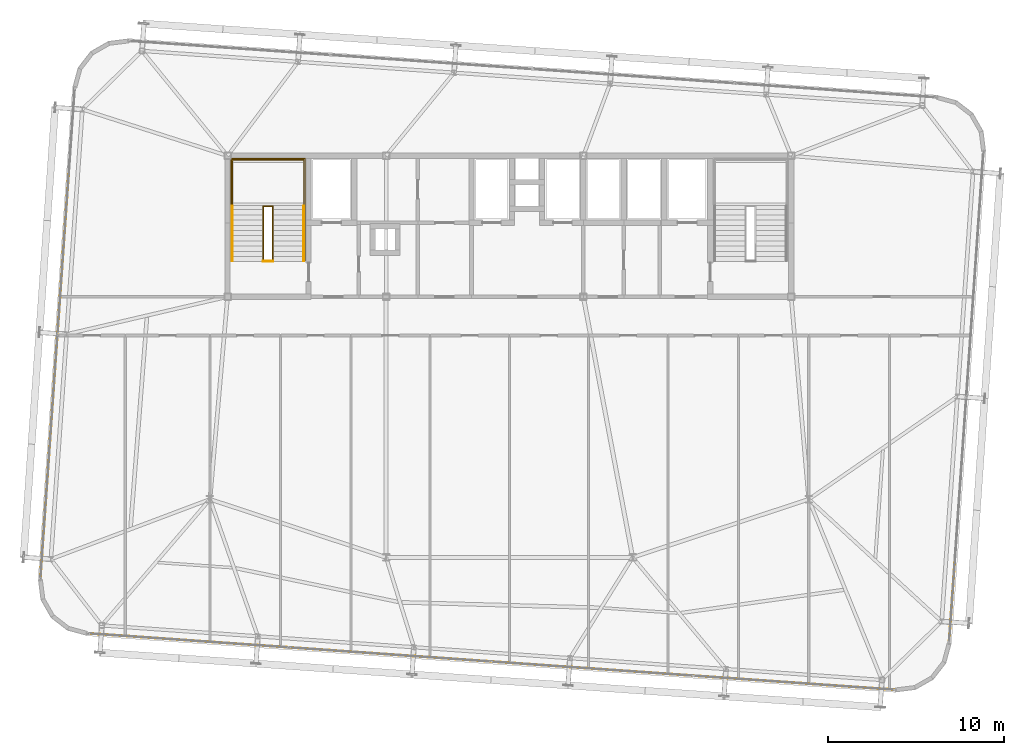
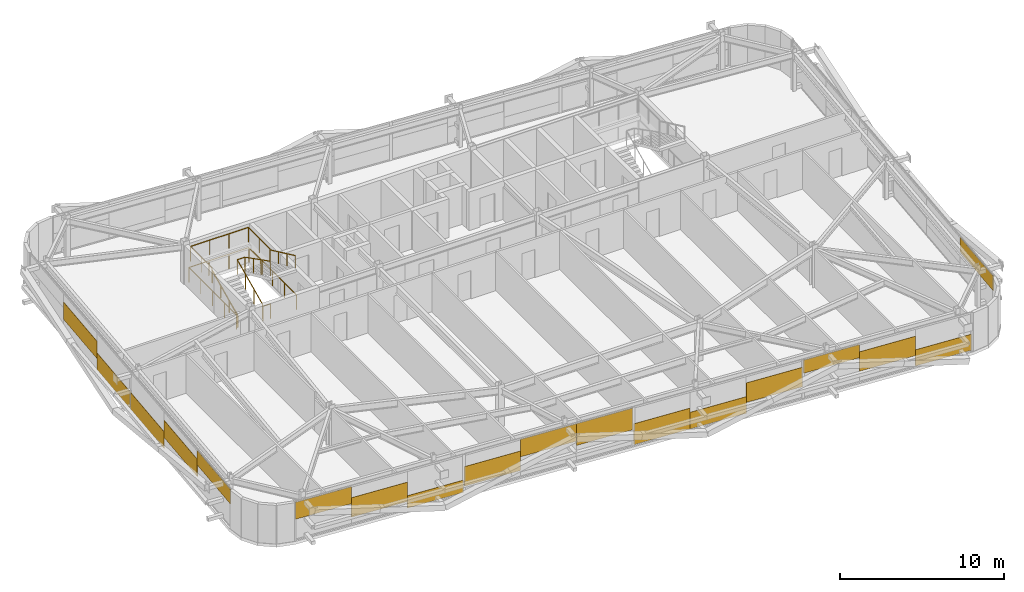
# One storey, part 38 of 39: 18 coverings, 6 railings.
"""IFC4 building model written with IfcOpenShell, lengths in metres."""

from ifc_helpers import new_model, si_unit, direction, frame, origin, origin_2d, place, context, subcontext, project, spatial, rectangle, extrude, source, transform, mapped, material, layer, layer_set, type_object, element, save


model = new_model("IFC4")

# Units and contexts
model_context = context("Model", 3, precision=1e-05, world=origin(), true_north=direction((0.0, 1.0)))
body_context = subcontext(model_context, "Body", "Model", "MODEL_VIEW")
ifc_project = project(units=[si_unit("LENGTHUNIT", "METRE"), si_unit("AREAUNIT", "SQUARE_METRE"), si_unit("VOLUMEUNIT", "CUBIC_METRE"), si_unit("PLANEANGLEUNIT", "RADIAN"), si_unit("MASSUNIT", "GRAM", prefix="KILO")], contexts=[model_context])

# Site, building, storey
site_placement = place(None, origin())
site = spatial("IfcSite", under=ifc_project, at=site_placement, CompositionType="ELEMENT")
building_placement = place(site_placement, origin())
building = spatial("IfcBuilding", under=site, at=building_placement, Name="Taldren Reach Tower", CompositionType="ELEMENT")
storey_placement = place(building_placement, frame((0.0, 0.0, 161.35009765625)))
storey = spatial("IfcBuildingStorey", under=building, at=storey_placement, Name="L49", CompositionType="ELEMENT", Elevation=161.35009765625)

# Railings
ifc_material_1 = material(Name="Steel Gr 350 (C350L0)", Category="steel")
ifc_layer_1 = layer(ifc_material_1, 0.050048828125)
ifc_layer_set_1 = layer_set([ifc_layer_1], Name="Steel Gr 350 (C350L0)")
railing_type_1 = type_object("IfcRailingType", Name="RL-STAIR-GR", PredefinedType="GUARDRAIL", material=ifc_layer_set_1)
railing_1_placement = place(storey_placement, frame((19.260009765625, 29.135009765625, 1.574951171875)))
element("IfcRailing", 1, at=railing_1_placement, inside=storey, type_object=railing_type_1, Name="Stair half-landing perimeter guard ST1-L49", PredefinedType="GUARDRAIL", context=body_context, shape_type="SweptSolid", body=[
    extrude(rectangle(XDim=0.047852, YDim=0.047852, at=origin_2d()), frame((0.0, 0.0, 1.09619140625), z_axis=(0.0, 1.0, 0.0), x_axis=(-1.0, 0.0, 0.0)), (0.0, 0.0, 1.0), 2.64501953125),
    extrude(rectangle(XDim=0.047852, YDim=0.047852, at=origin_2d()), frame((0.0, 2.64501953125, 1.09619140625), z_axis=(1.0, 0.0, 0.0), x_axis=(0.0, 1.0, 0.0)), (0.0, 0.0, 1.0), 4.080078125),
    extrude(rectangle(XDim=0.047852, YDim=0.047852, at=origin_2d()), frame((4.080078125, 2.64501953125, 1.09619140625), z_axis=(0.0, -1.0, 0.0), x_axis=(1.0, 0.0, 0.0)), (0.0, 0.0, 1.0), 2.64501953125),
    extrude(rectangle(XDim=0.041992, YDim=0.041992, at=origin_2d()), origin(), (0.0, 0.0, 1.0), 1.072021484375),
    extrude(rectangle(XDim=0.041992, YDim=0.041992, at=origin_2d()), frame((0.0, 1.322509765625, 0.0)), (0.0, 0.0, 1.0), 1.072021484375),
    extrude(rectangle(XDim=0.041992, YDim=0.041992, at=origin_2d()), frame((0.0, 2.64501953125, 0.0)), (0.0, 0.0, 1.0), 1.072021484375),
    extrude(rectangle(XDim=0.041992, YDim=0.041992, at=origin_2d()), frame((1.360107421875, 2.64501953125, 0.0)), (0.0, 0.0, 1.0), 1.072021484375),
    extrude(rectangle(XDim=0.041992, YDim=0.041992, at=origin_2d()), frame((2.719970703125, 2.64501953125, 0.0)), (0.0, 0.0, 1.0), 1.072021484375),
    extrude(rectangle(XDim=0.041992, YDim=0.041992, at=origin_2d()), frame((4.080078125, 2.64501953125, 0.0)), (0.0, 0.0, 1.0), 1.072021484375),
    extrude(rectangle(XDim=0.041992, YDim=0.041992, at=origin_2d()), frame((4.080078125, 1.322509765625, 0.0)), (0.0, 0.0, 1.0), 1.072021484375),
    extrude(rectangle(XDim=0.041992, YDim=0.041992, at=origin_2d()), frame((4.080078125, 0.0, 0.0)), (0.0, 0.0, 1.0), 1.072021484375),
])
railing_2_placement = place(storey_placement, frame((21.030029296875, 26.050048828125, 0.131103515625)))
element("IfcRailing", 2, at=railing_2_placement, inside=storey, type_object=railing_type_1, Name="Stairwell inner guard ST1-L49", PredefinedType="GUARDRAIL", context=body_context, shape_type="SweptSolid", body=[
    extrude(rectangle(XDim=0.047852, YDim=0.047852, at=origin_2d()), frame((0.0, 0.0, 1.09619140625), z_axis=(0.0, 0.905710134349, 0.423897573167), x_axis=(-1.0, 0.0, 0.0)), (0.0, 0.0, 1.0), 3.406005859375),
    extrude(rectangle(XDim=0.047852, YDim=0.047852, at=origin_2d()), frame((0.0, 3.0849609375, 2.5400390625), z_axis=(1.0, 0.0, 0.0), x_axis=(0.0, 1.0, 0.0)), (0.0, 0.0, 1.0), 0.5400390625),
    extrude(rectangle(XDim=0.047852, YDim=0.047852, at=origin_2d()), frame((0.5400390625, 3.0849609375, 2.5400390625), z_axis=(0.0, -0.890645957773, 0.45469745755), x_axis=(1.0, 0.0, 0.0)), (0.0, 0.0, 1.0), 3.463623046875),
    extrude(rectangle(XDim=0.041992, YDim=0.041992, at=origin_2d()), origin(), (0.0, 0.0, 1.0), 1.072021484375),
    extrude(rectangle(XDim=0.041992, YDim=0.041992, at=origin_2d()), frame((0.0, 1.0283203125, 0.481201171875)), (0.0, 0.0, 1.0), 1.072021484375),
    extrude(rectangle(XDim=0.041992, YDim=0.041992, at=origin_2d()), frame((0.0, 2.056640625, 0.962646484375)), (0.0, 0.0, 1.0), 1.072021484375),
    extrude(rectangle(XDim=0.041992, YDim=0.041992, at=origin_2d()), frame((0.0, 3.0849609375, 1.44384765625)), (0.0, 0.0, 1.0), 1.072021484375),
    extrude(rectangle(XDim=0.041992, YDim=0.041992, at=origin_2d()), frame((0.5400390625, 3.0849609375, 1.44384765625)), (0.0, 0.0, 1.0), 1.072021484375),
    extrude(rectangle(XDim=0.041992, YDim=0.041992, at=origin_2d()), frame((0.5400390625, 2.056640625, 1.96875)), (0.0, 0.0, 1.0), 1.072021484375),
    extrude(rectangle(XDim=0.041992, YDim=0.041992, at=origin_2d()), frame((0.5400390625, 1.0283203125, 2.493896484375)), (0.0, 0.0, 1.0), 1.072021484375),
    extrude(rectangle(XDim=0.041992, YDim=0.041992, at=origin_2d()), frame((0.5400390625, 0.0, 3.018798828125)), (0.0, 0.0, 1.0), 1.072021484375),
])
railing_3_placement = place(storey_placement, frame((21.030029296875, 26.010009765625, 0.0)))
element("IfcRailing", 3, at=railing_3_placement, inside=storey, type_object=railing_type_1, Name="Stairwell landing slot guard ST1-L49", PredefinedType="GUARDRAIL", context=body_context, shape_type="SweptSolid", body=[
    extrude(rectangle(XDim=0.047852, YDim=0.047852, at=origin_2d()), frame((0.0, 0.0, 1.09619140625), z_axis=(1.0, 0.0, 0.0), x_axis=(0.0, 1.0, 0.0)), (0.0, 0.0, 1.0), 0.5400390625),
    extrude(rectangle(XDim=0.041992, YDim=0.041992, at=origin_2d()), origin(), (0.0, 0.0, 1.0), 1.072021484375),
    extrude(rectangle(XDim=0.041992, YDim=0.041992, at=origin_2d()), frame((0.5400390625, 0.0, 0.0)), (0.0, 0.0, 1.0), 1.072021484375),
])
railing_4_placement = place(storey_placement, frame((19.18994140625, 26.050048828125, 0.0)))
element("IfcRailing", 4, at=railing_4_placement, inside=storey, type_object=railing_type_1, Name="Stairwell floor opening guard ST1-L49", PredefinedType="GUARDRAIL", context=body_context, shape_type="SweptSolid", body=[
    extrude(rectangle(XDim=0.047852, YDim=0.047852, at=origin_2d()), frame((0.0, 0.0, 1.09619140625), z_axis=(0.0, 1.0, 0.0), x_axis=(-1.0, 0.0, 0.0)), (0.0, 0.0, 1.0), 5.800048828125),
    extrude(rectangle(XDim=0.047852, YDim=0.047852, at=origin_2d()), frame((0.0, 5.800048828125, 1.09619140625), z_axis=(1.0, 0.0, 0.0), x_axis=(0.0, 1.0, 0.0)), (0.0, 0.0, 1.0), 4.219970703125),
    extrude(rectangle(XDim=0.047852, YDim=0.047852, at=origin_2d()), frame((4.219970703125, 5.800048828125, 1.09619140625), z_axis=(0.0, -1.0, 0.0), x_axis=(1.0, 0.0, 0.0)), (0.0, 0.0, 1.0), 5.800048828125),
    extrude(rectangle(XDim=0.041992, YDim=0.041992, at=origin_2d()), origin(), (0.0, 0.0, 1.0), 1.072021484375),
    extrude(rectangle(XDim=0.041992, YDim=0.041992, at=origin_2d()), frame((0.0, 1.449951171875, 0.0)), (0.0, 0.0, 1.0), 1.072021484375),
    extrude(rectangle(XDim=0.041992, YDim=0.041992, at=origin_2d()), frame((0.0, 2.89990234375, 0.0)), (0.0, 0.0, 1.0), 1.072021484375),
    extrude(rectangle(XDim=0.041992, YDim=0.041992, at=origin_2d()), frame((0.0, 4.35009765625, 0.0)), (0.0, 0.0, 1.0), 1.072021484375),
    extrude(rectangle(XDim=0.041992, YDim=0.041992, at=origin_2d()), frame((0.0, 5.800048828125, 0.0)), (0.0, 0.0, 1.0), 1.072021484375),
    extrude(rectangle(XDim=0.041992, YDim=0.041992, at=origin_2d()), frame((1.40673828125, 5.800048828125, 0.0)), (0.0, 0.0, 1.0), 1.072021484375),
    extrude(rectangle(XDim=0.041992, YDim=0.041992, at=origin_2d()), frame((2.813232421875, 5.800048828125, 0.0)), (0.0, 0.0, 1.0), 1.072021484375),
    extrude(rectangle(XDim=0.041992, YDim=0.041992, at=origin_2d()), frame((4.219970703125, 5.800048828125, 0.0)), (0.0, 0.0, 1.0), 1.072021484375),
    extrude(rectangle(XDim=0.041992, YDim=0.041992, at=origin_2d()), frame((4.219970703125, 4.35009765625, 0.0)), (0.0, 0.0, 1.0), 1.072021484375),
    extrude(rectangle(XDim=0.041992, YDim=0.041992, at=origin_2d()), frame((4.219970703125, 2.89990234375, 0.0)), (0.0, 0.0, 1.0), 1.072021484375),
    extrude(rectangle(XDim=0.041992, YDim=0.041992, at=origin_2d()), frame((4.219970703125, 1.449951171875, 0.0)), (0.0, 0.0, 1.0), 1.072021484375),
    extrude(rectangle(XDim=0.041992, YDim=0.041992, at=origin_2d()), frame((4.219970703125, 0.0, 0.0)), (0.0, 0.0, 1.0), 1.072021484375),
])
ifc_material_2 = material(Name="Stainless Steel Gr 316", Category="steel")
ifc_layer_2 = layer(ifc_material_2, 0.048095703125)
ifc_layer_set_2 = layer_set([ifc_layer_2], Name="Stainless Steel Gr 316")
railing_type_2 = type_object("IfcRailingType", Name="RL-STAIR-HR", PredefinedType="HANDRAIL", material=ifc_layer_set_2)
railing_5_placement = place(storey_placement, frame((19.27001953125, 26.050048828125, 0.131103515625)))
element("IfcRailing", 5, at=railing_5_placement, inside=storey, type_object=railing_type_2, Name="Stair flight handrail ST1-L49-1", PredefinedType="HANDRAIL", context=body_context, shape_type="SweptSolid", body=[
    extrude(rectangle(XDim=0.047852, YDim=0.047852, at=origin_2d()), frame((0.0, 0.0, 0.89599609375), z_axis=(0.0, 0.905710134349, 0.423897573167), x_axis=(-1.0, 0.0, 0.0)), (0.0, 0.0, 1.0), 3.406005859375),
    extrude(rectangle(XDim=0.041992, YDim=0.041992, at=origin_2d()), origin(), (0.0, 0.0, 1.0), 0.871826171875),
    extrude(rectangle(XDim=0.041992, YDim=0.041992, at=origin_2d()), frame((0.0, 1.0283203125, 0.481201171875)), (0.0, 0.0, 1.0), 0.871826171875),
    extrude(rectangle(XDim=0.041992, YDim=0.041992, at=origin_2d()), frame((0.0, 2.056640625, 0.962646484375)), (0.0, 0.0, 1.0), 0.871826171875),
    extrude(rectangle(XDim=0.041992, YDim=0.041992, at=origin_2d()), frame((0.0, 3.0849609375, 1.44384765625)), (0.0, 0.0, 1.0), 0.871826171875),
])
railing_6_placement = place(storey_placement, frame((23.330078125, 29.135009765625, 1.706298828125)))
element("IfcRailing", 6, at=railing_6_placement, inside=storey, type_object=railing_type_2, Name="Stair flight handrail ST1-L49-2", PredefinedType="HANDRAIL", context=body_context, shape_type="SweptSolid", body=[
    extrude(rectangle(XDim=0.047852, YDim=0.047852, at=origin_2d()), frame((0.0, 0.0, 0.89599609375), z_axis=(0.0, -0.905737652094, 0.423838773095), x_axis=(1.0, 0.0, 0.0)), (0.0, 0.0, 1.0), 3.406005859375),
    extrude(rectangle(XDim=0.041992, YDim=0.041992, at=origin_2d()), origin(), (0.0, 0.0, 1.0), 0.871826171875),
    extrude(rectangle(XDim=0.041992, YDim=0.041992, at=origin_2d()), frame((0.0, -1.0283203125, 0.481201171875)), (0.0, 0.0, 1.0), 0.871826171875),
    extrude(rectangle(XDim=0.041992, YDim=0.041992, at=origin_2d()), frame((0.0, -2.056640625, 0.96240234375)), (0.0, 0.0, 1.0), 0.871826171875),
    extrude(rectangle(XDim=0.041992, YDim=0.041992, at=origin_2d()), frame((0.0, -3.0849609375, 1.443603515625)), (0.0, 0.0, 1.0), 0.871826171875),
])

# Coverings
ifc_material_3 = material(Name="Pale Champagne Fluoropolymer Aluminium Spandrel Cladding", Category="aluminium")
ifc_layer_3 = layer(ifc_material_3, 0.0439453125)
ifc_layer_set_3 = layer_set([ifc_layer_3], Name="Pale Champagne Fluoropolymer Aluminium Spandrel Cladding")
covering_type = type_object("IfcCoveringType", Name="CV-CLAD-044", PredefinedType="CLADDING", material=ifc_layer_set_3)
shared_shape_1 = source(origin(), body_context, "Body", "SweptSolid", [
    extrude(rectangle(XDim=3.79833984375, YDim=0.0439453125, at=origin_2d()), origin(), (0.0, 0.0, 1.0), 1.260986328125),
])
covering_1_placement = place(storey_placement, frame((12.994384765625, 4.748046875, 1.5537109375), z_axis=(0.0, 0.0, 1.0), x_axis=(0.99756404731, -0.06975651593, 0.0)))
element("IfcCovering", 7, at=covering_1_placement, inside=storey, type_object=covering_type, Name="Diagrid closure cladding strip CW-4 panel 1.1 1", PredefinedType="CLADDING", context=body_context, shape_type="MappedRepresentation", body=[
    mapped(shared_shape_1, transform((0.0, 0.0, 0.0), scale=1.0)),
])
shared_shape_2 = source(origin(), body_context, "Body", "SweptSolid", [
    extrude(rectangle(XDim=3.79833984375, YDim=0.0439453125, at=origin_2d()), origin(), (0.0, 0.0, 1.0), 1.447998046875),
])
for number, where, z_axis, x_axis, name in (
    (8, (16.783447265625, 4.483154296875, 0.5400390625), (0.0, 0.0, 1.0), (0.99756404731, -0.06975651593, 0.0), "Diagrid closure cladding strip CW-4 panel 1.1 2"),
    (9, (51.16455078125, 2.0791015625, 0.82177734375), (0.0, 0.0, 1.0), (0.99756404731, -0.06975651593, 0.0), "Diagrid closure cladding strip CW-4 panel 4.1 2"),
):
    element("IfcCovering", number, at=place(storey_placement, frame(where, z_axis=z_axis, x_axis=x_axis)), inside=storey, type_object=covering_type, Name=name, PredefinedType="CLADDING", context=body_context, shape_type="MappedRepresentation", body=[
        mapped(shared_shape_2, transform((0.0, 0.0, 0.0), scale=1.0)),
    ])
shared_shape_3 = source(origin(), body_context, "Body", "SweptSolid", [
    extrude(rectangle(XDim=3.79833984375, YDim=0.0439453125, at=origin_2d()), origin(), (0.0, 0.0, 1.0), 0.91943359375),
])
covering_2_placement = place(storey_placement, frame((20.572509765625, 4.21826171875, 0.054931640625), z_axis=(0.0, 0.0, 1.0), x_axis=(0.99756404731, -0.06975651593, 0.0)))
element("IfcCovering", 10, at=covering_2_placement, inside=storey, type_object=covering_type, Name="Diagrid closure cladding strip CW-4 panel 1.1 3", PredefinedType="CLADDING", context=body_context, shape_type="MappedRepresentation", body=[
    mapped(shared_shape_3, transform((0.0, 0.0, 0.0), scale=1.0)),
])
shared_shape_4 = source(origin(), body_context, "Body", "SweptSolid", [
    extrude(rectangle(XDim=3.81005859375, YDim=0.0439453125, at=origin_2d()), origin(), (0.0, 0.0, 1.0), 1.451171875),
])
for number, where, z_axis, x_axis, name in (
    (11, (24.437255859375, 3.947998046875, 0.497802734375), (0.0, 0.0, 1.0), (0.99756404731, -0.06975651593, 0.0), "Diagrid closure cladding strip CW-4 panel 2.1 1"),
    (12, (43.510498046875, 2.6142578125, 0.86083984375), (0.0, 0.0, 1.0), (0.99756404731, -0.06975651593, 0.0), "Diagrid closure cladding strip CW-4 panel 3.1 3"),
):
    element("IfcCovering", number, at=place(storey_placement, frame(where, z_axis=z_axis, x_axis=x_axis)), inside=storey, type_object=covering_type, Name=name, PredefinedType="CLADDING", context=body_context, shape_type="MappedRepresentation", body=[
        mapped(shared_shape_4, transform((0.0, 0.0, 0.0), scale=1.0)),
    ])
shared_shape_5 = source(origin(), body_context, "Body", "SweptSolid", [
    extrude(rectangle(XDim=3.81005859375, YDim=0.0439453125, at=origin_2d()), origin(), (0.0, 0.0, 1.0), 1.30029296875),
])
covering_3_placement = place(storey_placement, frame((28.23779296875, 3.68212890625, 1.5146484375), z_axis=(0.0, 0.0, 1.0), x_axis=(0.99756404731, -0.06975651593, 0.0)))
element("IfcCovering", 13, at=covering_3_placement, inside=storey, type_object=covering_type, Name="Diagrid closure cladding strip CW-4 panel 2.1 2", PredefinedType="CLADDING", context=body_context, shape_type="MappedRepresentation", body=[
    mapped(shared_shape_5, transform((0.0, 0.0, 0.0), scale=1.0)),
])
shared_shape_6 = source(origin(), body_context, "Body", "SweptSolid", [
    extrude(rectangle(XDim=3.81005859375, YDim=0.0439453125, at=origin_2d()), origin(), (0.0, 0.0, 1.0), 1.617919921875),
])
covering_4_placement = place(storey_placement, frame((32.03857421875, 3.41650390625, 1.197265625), z_axis=(0.0, 0.0, 1.0), x_axis=(0.99756404731, -0.06975651593, 0.0)))
element("IfcCovering", 14, at=covering_4_placement, inside=storey, type_object=covering_type, Name="Diagrid closure cladding strip CW-4 panel 2.1 3", PredefinedType="CLADDING", context=body_context, shape_type="MappedRepresentation", body=[
    mapped(shared_shape_6, transform((0.0, 0.0, 0.0), scale=1.0)),
])
shared_shape_7 = source(origin(), body_context, "Body", "SweptSolid", [
    extrude(rectangle(XDim=3.81005859375, YDim=0.0439453125, at=origin_2d()), origin(), (0.0, 0.0, 1.0), 1.557861328125),
])
covering_5_placement = place(storey_placement, frame((35.9091796875, 3.145751953125, 0.0546875), z_axis=(0.0, 0.0, 1.0), x_axis=(0.99756404731, -0.06975651593, 0.0)))
element("IfcCovering", 15, at=covering_5_placement, inside=storey, type_object=covering_type, Name="Diagrid closure cladding strip CW-4 panel 3.1 1", PredefinedType="CLADDING", context=body_context, shape_type="MappedRepresentation", body=[
    mapped(shared_shape_7, transform((0.0, 0.0, 0.0), scale=1.0)),
])
shared_shape_8 = source(origin(), body_context, "Body", "SweptSolid", [
    extrude(rectangle(XDim=3.81005859375, YDim=0.0439453125, at=origin_2d()), origin(), (0.0, 0.0, 1.0), 1.240234375),
])
covering_6_placement = place(storey_placement, frame((39.7099609375, 2.8798828125, 0.054931640625), z_axis=(0.0, 0.0, 1.0), x_axis=(0.99756404731, -0.06975651593, 0.0)))
element("IfcCovering", 16, at=covering_6_placement, inside=storey, type_object=covering_type, Name="Diagrid closure cladding strip CW-4 panel 3.1 2", PredefinedType="CLADDING", context=body_context, shape_type="MappedRepresentation", body=[
    mapped(shared_shape_8, transform((0.0, 0.0, 0.0), scale=1.0)),
])
shared_shape_9 = source(origin(), body_context, "Body", "SweptSolid", [
    extrude(rectangle(XDim=3.79833984375, YDim=0.0439453125, at=origin_2d()), origin(), (0.0, 0.0, 1.0), 0.9794921875),
])
covering_7_placement = place(storey_placement, frame((47.375244140625, 2.343994140625, 1.83544921875), z_axis=(0.0, 0.0, 1.0), x_axis=(0.99756404731, -0.06975651593, 0.0)))
element("IfcCovering", 17, at=covering_7_placement, inside=storey, type_object=covering_type, Name="Diagrid closure cladding strip CW-4 panel 4.1 1", PredefinedType="CLADDING", context=body_context, shape_type="MappedRepresentation", body=[
    mapped(shared_shape_9, transform((0.0, 0.0, 0.0), scale=1.0)),
])
shared_shape_10 = source(origin(), body_context, "Body", "SweptSolid", [
    extrude(rectangle(XDim=3.79833984375, YDim=0.0439453125, at=origin_2d()), origin(), (0.0, 0.0, 1.0), 1.201171875),
])
covering_8_placement = place(storey_placement, frame((54.95361328125, 1.81396484375, 0.054931640625), z_axis=(0.0, 0.0, 1.0), x_axis=(0.99756404731, -0.06975651593, 0.0)))
element("IfcCovering", 18, at=covering_8_placement, inside=storey, type_object=covering_type, Name="Diagrid closure cladding strip CW-4 panel 4.1 3", PredefinedType="CLADDING", context=body_context, shape_type="MappedRepresentation", body=[
    mapped(shared_shape_10, transform((0.0, 0.0, 0.0), scale=1.0)),
])
shared_shape_11 = source(origin(), body_context, "Body", "SweptSolid", [
    extrude(rectangle(XDim=4.631591796875, YDim=0.0439453125, at=origin_2d()), origin(), (0.0, 0.0, 1.0), 1.0869140625),
])
for number, where, z_axis, x_axis, name in (
    (19, (8.542724609375, 10.318115234375, 1.72802734375), (0.0, 0.0, 1.0), (-0.069756437251, -0.997564052812, 0.0), "Diagrid closure cladding strip CW-4 panel 2.1 3"),
    (20, (60.136962890625, 6.710205078125, 1.72802734375), (0.0, 0.0, 1.0), (0.069756437251, 0.997564052812, 0.0), "Diagrid closure cladding strip CW-4 panel 1.1 1"),
):
    element("IfcCovering", number, at=place(storey_placement, frame(where, z_axis=z_axis, x_axis=x_axis)), inside=storey, type_object=covering_type, Name=name, PredefinedType="CLADDING", context=body_context, shape_type="MappedRepresentation", body=[
        mapped(shared_shape_11, transform((0.0, 0.0, 0.0), scale=1.0)),
    ])
shared_shape_12 = source(origin(), body_context, "Body", "SweptSolid", [
    extrude(rectangle(XDim=4.631591796875, YDim=0.0439453125, at=origin_2d()), origin(), (0.0, 0.0, 1.0), 1.28466796875),
])
for number, where, z_axis, x_axis, name in (
    (21, (9.840087890625, 28.869384765625, 0.870361328125), (0.0, 0.0, 1.0), (-0.069756437251, -0.997564052812, 0.0), "Diagrid closure cladding strip CW-4 panel 1.1 2"),
    (22, (8.865966796875, 14.9384765625, 0.870361328125), (0.0, 0.0, 1.0), (-0.069756437251, -0.997564052812, 0.0), "Diagrid closure cladding strip CW-4 panel 2.1 2"),
):
    element("IfcCovering", number, at=place(storey_placement, frame(where, z_axis=z_axis, x_axis=x_axis)), inside=storey, type_object=covering_type, Name=name, PredefinedType="CLADDING", context=body_context, shape_type="MappedRepresentation", body=[
        mapped(shared_shape_12, transform((0.0, 0.0, 0.0), scale=1.0)),
    ])
shared_shape_13 = source(origin(), body_context, "Body", "SweptSolid", [
    extrude(rectangle(XDim=4.631591796875, YDim=0.0439453125, at=origin_2d()), origin(), (0.0, 0.0, 1.0), 1.242431640625),
])
for number, where, z_axis, x_axis, name in (
    (23, (9.51708984375, 24.2490234375, 0.05517578125), (0.0, 0.0, 1.0), (-0.069756437251, -0.997564052812, 0.0), "Diagrid closure cladding strip CW-4 panel 1.1 3"),
    (24, (9.18896484375, 19.558837890625, 0.05517578125), (0.0, 0.0, 1.0), (-0.069756437251, -0.997564052812, 0.0), "Diagrid closure cladding strip CW-4 panel 2.1 1"),
):
    element("IfcCovering", number, at=place(storey_placement, frame(where, z_axis=z_axis, x_axis=x_axis)), inside=storey, type_object=covering_type, Name=name, PredefinedType="CLADDING", context=body_context, shape_type="MappedRepresentation", body=[
        mapped(shared_shape_13, transform((0.0, 0.0, 0.0), scale=1.0)),
    ])

save(model, "model.ifc")
